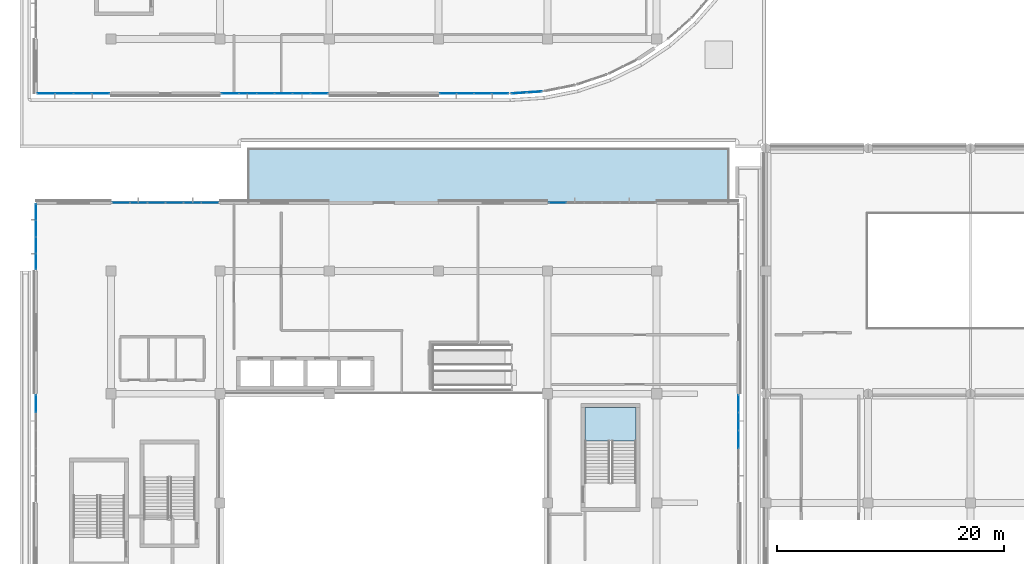
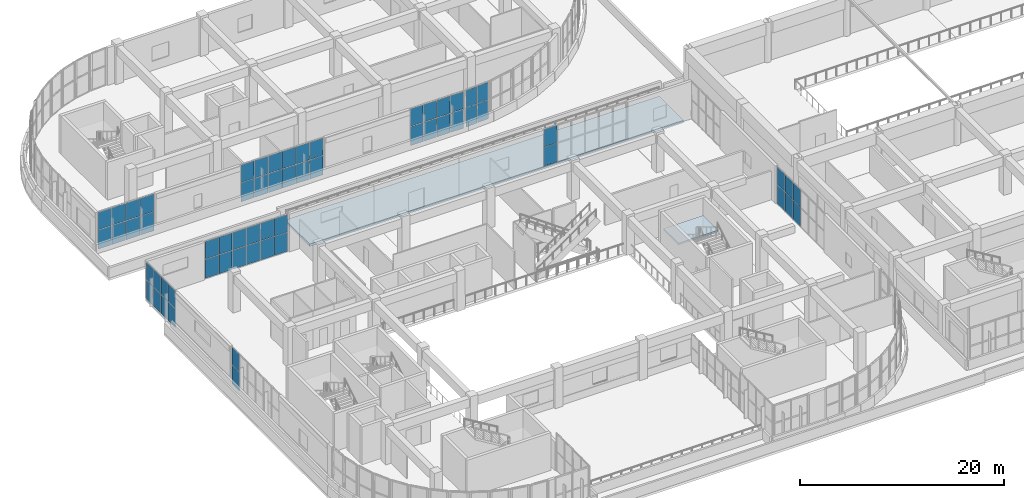
# One storey, part 46 of 96: 62 plates, 2 slabs, 10 elements without a shape of their own.
"""IFC4 building model written with IfcOpenShell, lengths in metres."""

from ifc_helpers import new_model, si_unit, direction, frame, origin, origin_2d, place, context, subcontext, project, spatial, polyline, rectangle, outline, extrude, material, layer, layer_set, type_object, element, aggregate, save


model = new_model("IFC4")

# Units and contexts
model_context = context("Model", 3, precision=1e-05, world=origin(), true_north=direction((0.0, 1.0)))
body_context = subcontext(model_context, "Body", "Model", "MODEL_VIEW")
ifc_project = project(units=[si_unit("LENGTHUNIT", "METRE"), si_unit("AREAUNIT", "SQUARE_METRE"), si_unit("VOLUMEUNIT", "CUBIC_METRE"), si_unit("PLANEANGLEUNIT", "RADIAN"), si_unit("MASSUNIT", "GRAM", prefix="KILO")], contexts=[model_context])

# Site, building, storey
site_placement = place(None, origin())
site = spatial("IfcSite", under=ifc_project, at=site_placement, CompositionType="ELEMENT")
building_placement = place(site_placement, origin())
building = spatial("IfcBuilding", under=site, at=building_placement, Name="Cendralis Terraced Arcade", CompositionType="ELEMENT")
storey_placement = place(building_placement, frame((0.0, 0.0, 10.199951171875)))
storey = spatial("IfcBuildingStorey", under=building, at=storey_placement, Name="L02", CompositionType="ELEMENT", Elevation=10.199951171875)

# Curtain wall, plates
ifc_material_1 = material(Name="Anodised aluminium EN AW-6063 T6", Category="aluminium")
ifc_layer_1 = layer(ifc_material_1, 0.1201171875, Name="CW-STORE-B")
ifc_layer_set_1 = layer_set([ifc_layer_1], Name="Anodised aluminium EN AW-6063 T6")
curtain_wall_type_1 = type_object("IfcCurtainWallType", Name="CW-STORE-B", PredefinedType="USERDEFINED", material=ifc_layer_set_1)
curtain_wall_1_placement = place(storey_placement, origin())
curtain_wall_1 = element("IfcCurtainWall", 1, at=curtain_wall_1_placement, inside=storey, type_object=curtain_wall_type_1, Name="Exterior Storefront Glazing CW-L02-0127", ObjectType="STOREFRONT GLAZING", PredefinedType="USERDEFINED")
ifc_material_2 = material(Name="Tempered solar control laminated glass", Category="glass")
ifc_layer_2 = layer(ifc_material_2, 0.02392578125, Name="CW-STORE-B-PNL")
ifc_layer_set_2 = layer_set([ifc_layer_2], Name="Tempered solar control laminated glass")
plate_type_1 = type_object("IfcPlateType", Name="CW-STORE-B-PNL", PredefinedType="CURTAIN_PANEL", material=ifc_layer_set_2)
plate_1_placement = place(storey_placement, frame((43.831298828125, 64.800048828125, 0.05517578125), z_axis=(0.0, 0.0, 1.0), x_axis=(-1.0, 0.0, 0.0)))
plate_1 = element("IfcPlate", 2, at=plate_1_placement, type_object=plate_type_1, Name="CW-S2 panel 1.1", PredefinedType="CURTAIN_PANEL", context=body_context, shape_type="SweptSolid", body=[
    extrude(rectangle(XDim=1.447509765625, YDim=0.02392578125, at=origin_2d()), origin(), (0.0, 0.0, 1.0), 2.265380859375),
])
plate_2_placement = place(storey_placement, frame((43.831298828125, 64.800048828125, 2.37548828125), z_axis=(0.0, 0.0, 1.0), x_axis=(-1.0, 0.0, 0.0)))
plate_2 = element("IfcPlate", 3, at=plate_2_placement, type_object=plate_type_1, Name="CW-S2 panel 1.2", PredefinedType="CURTAIN_PANEL", context=body_context, shape_type="SweptSolid", body=[
    extrude(rectangle(XDim=1.447509765625, YDim=0.02392578125, at=origin_2d()), origin(), (0.0, 0.0, 1.0), 2.084716796875),
])
plate_3_placement = place(storey_placement, frame((42.31494140625, 64.800048828125, 0.05517578125), z_axis=(0.0, 0.0, 1.0), x_axis=(-1.0, 0.0, 0.0)))
plate_3 = element("IfcPlate", 4, at=plate_3_placement, type_object=plate_type_1, Name="CW-S2 panel 2.1", PredefinedType="CURTAIN_PANEL", context=body_context, shape_type="SweptSolid", body=[
    extrude(rectangle(XDim=1.47509765625, YDim=0.02392578125, at=origin_2d()), origin(), (0.0, 0.0, 1.0), 2.265380859375),
])
plate_4_placement = place(storey_placement, frame((42.31494140625, 64.800048828125, 2.37548828125), z_axis=(0.0, 0.0, 1.0), x_axis=(-1.0, 0.0, 0.0)))
plate_4 = element("IfcPlate", 5, at=plate_4_placement, type_object=plate_type_1, Name="CW-S2 panel 2.2", PredefinedType="CURTAIN_PANEL", context=body_context, shape_type="SweptSolid", body=[
    extrude(rectangle(XDim=1.47509765625, YDim=0.02392578125, at=origin_2d()), origin(), (0.0, 0.0, 1.0), 2.084716796875),
])
plate_5_placement = place(storey_placement, frame((40.784912109375, 64.800048828125, 0.05517578125), z_axis=(0.0, 0.0, 1.0), x_axis=(-1.0, 0.0, 0.0)))
plate_5 = element("IfcPlate", 6, at=plate_5_placement, type_object=plate_type_1, Name="CW-S2 panel 3.1", PredefinedType="CURTAIN_PANEL", context=body_context, shape_type="SweptSolid", body=[
    extrude(rectangle(XDim=1.47509765625, YDim=0.02392578125, at=origin_2d()), origin(), (0.0, 0.0, 1.0), 2.265380859375),
])
plate_6_placement = place(storey_placement, frame((40.784912109375, 64.800048828125, 2.37548828125), z_axis=(0.0, 0.0, 1.0), x_axis=(-1.0, 0.0, 0.0)))
plate_6 = element("IfcPlate", 7, at=plate_6_placement, type_object=plate_type_1, Name="CW-S2 panel 3.2", PredefinedType="CURTAIN_PANEL", context=body_context, shape_type="SweptSolid", body=[
    extrude(rectangle(XDim=1.47509765625, YDim=0.02392578125, at=origin_2d()), origin(), (0.0, 0.0, 1.0), 2.084716796875),
])
plate_7_placement = place(storey_placement, frame((39.268798828125, 64.800048828125, 0.05517578125), z_axis=(0.0, 0.0, 1.0), x_axis=(-1.0, 0.0, 0.0)))
plate_7 = element("IfcPlate", 8, at=plate_7_placement, type_object=plate_type_1, Name="CW-S2 panel 4.1", PredefinedType="CURTAIN_PANEL", context=body_context, shape_type="SweptSolid", body=[
    extrude(rectangle(XDim=1.447509765625, YDim=0.02392578125, at=origin_2d()), origin(), (0.0, 0.0, 1.0), 2.265380859375),
])
plate_8_placement = place(storey_placement, frame((39.268798828125, 64.800048828125, 2.37548828125), z_axis=(0.0, 0.0, 1.0), x_axis=(-1.0, 0.0, 0.0)))
plate_8 = element("IfcPlate", 9, at=plate_8_placement, type_object=plate_type_1, Name="CW-S2 panel 4.2", PredefinedType="CURTAIN_PANEL", context=body_context, shape_type="SweptSolid", body=[
    extrude(rectangle(XDim=1.447509765625, YDim=0.02392578125, at=origin_2d()), origin(), (0.0, 0.0, 1.0), 2.084716796875),
])
aggregate(curtain_wall_1, [plate_1, plate_2, plate_3, plate_4, plate_5, plate_6, plate_7, plate_8])

curtain_wall_2_placement = place(storey_placement, origin())
curtain_wall_2 = element("IfcCurtainWall", 10, at=curtain_wall_2_placement, inside=storey, type_object=curtain_wall_type_1, Name="Exterior Storefront Glazing CW-L02-0128", ObjectType="STOREFRONT GLAZING", PredefinedType="USERDEFINED")
plate_9_placement = place(storey_placement, frame((27.9111328125, 64.800048828125, 0.05517578125), z_axis=(0.0, 0.0, 1.0), x_axis=(-1.0, 0.0, 0.0)))
plate_9 = element("IfcPlate", 11, at=plate_9_placement, type_object=plate_type_1, Name="CW-S2 panel 1.1", PredefinedType="CURTAIN_PANEL", context=body_context, shape_type="SweptSolid", body=[
    extrude(rectangle(XDim=1.487548828125, YDim=0.02392578125, at=origin_2d()), origin(), (0.0, 0.0, 1.0), 2.265380859375),
])
plate_10_placement = place(storey_placement, frame((27.9111328125, 64.800048828125, 2.37548828125), z_axis=(0.0, 0.0, 1.0), x_axis=(-1.0, 0.0, 0.0)))
plate_10 = element("IfcPlate", 12, at=plate_10_placement, type_object=plate_type_1, Name="CW-S2 panel 1.2", PredefinedType="CURTAIN_PANEL", context=body_context, shape_type="SweptSolid", body=[
    extrude(rectangle(XDim=1.487548828125, YDim=0.02392578125, at=origin_2d()), origin(), (0.0, 0.0, 1.0), 2.084716796875),
])
plate_11_placement = place(storey_placement, frame((26.35498046875, 64.800048828125, 0.05517578125), z_axis=(0.0, 0.0, 1.0), x_axis=(-1.0, 0.0, 0.0)))
plate_11 = element("IfcPlate", 13, at=plate_11_placement, type_object=plate_type_1, Name="CW-S2 panel 2.1", PredefinedType="CURTAIN_PANEL", context=body_context, shape_type="SweptSolid", body=[
    extrude(rectangle(XDim=1.514892578125, YDim=0.02392578125, at=origin_2d()), origin(), (0.0, 0.0, 1.0), 2.265380859375),
])
plate_12_placement = place(storey_placement, frame((26.35498046875, 64.800048828125, 2.37548828125), z_axis=(0.0, 0.0, 1.0), x_axis=(-1.0, 0.0, 0.0)))
plate_12 = element("IfcPlate", 14, at=plate_12_placement, type_object=plate_type_1, Name="CW-S2 panel 2.2", PredefinedType="CURTAIN_PANEL", context=body_context, shape_type="SweptSolid", body=[
    extrude(rectangle(XDim=1.514892578125, YDim=0.02392578125, at=origin_2d()), origin(), (0.0, 0.0, 1.0), 2.084716796875),
])
plate_13_placement = place(storey_placement, frame((24.784912109375, 64.800048828125, 0.05517578125), z_axis=(0.0, 0.0, 1.0), x_axis=(-1.0, 0.0, 0.0)))
plate_13 = element("IfcPlate", 15, at=plate_13_placement, type_object=plate_type_1, Name="CW-S2 panel 3.1", PredefinedType="CURTAIN_PANEL", context=body_context, shape_type="SweptSolid", body=[
    extrude(rectangle(XDim=1.514892578125, YDim=0.02392578125, at=origin_2d()), origin(), (0.0, 0.0, 1.0), 2.265380859375),
])
plate_14_placement = place(storey_placement, frame((24.784912109375, 64.800048828125, 2.37548828125), z_axis=(0.0, 0.0, 1.0), x_axis=(-1.0, 0.0, 0.0)))
plate_14 = element("IfcPlate", 16, at=plate_14_placement, type_object=plate_type_1, Name="CW-S2 panel 3.2", PredefinedType="CURTAIN_PANEL", context=body_context, shape_type="SweptSolid", body=[
    extrude(rectangle(XDim=1.514892578125, YDim=0.02392578125, at=origin_2d()), origin(), (0.0, 0.0, 1.0), 2.084716796875),
])
plate_15_placement = place(storey_placement, frame((23.215087890625, 64.800048828125, 0.05517578125), z_axis=(0.0, 0.0, 1.0), x_axis=(-1.0, 0.0, 0.0)))
plate_15 = element("IfcPlate", 17, at=plate_15_placement, type_object=plate_type_1, Name="CW-S2 panel 4.1", PredefinedType="CURTAIN_PANEL", context=body_context, shape_type="SweptSolid", body=[
    extrude(rectangle(XDim=1.514892578125, YDim=0.02392578125, at=origin_2d()), origin(), (0.0, 0.0, 1.0), 2.265380859375),
])
plate_16_placement = place(storey_placement, frame((23.215087890625, 64.800048828125, 2.37548828125), z_axis=(0.0, 0.0, 1.0), x_axis=(-1.0, 0.0, 0.0)))
plate_16 = element("IfcPlate", 18, at=plate_16_placement, type_object=plate_type_1, Name="CW-S2 panel 4.2", PredefinedType="CURTAIN_PANEL", context=body_context, shape_type="SweptSolid", body=[
    extrude(rectangle(XDim=1.514892578125, YDim=0.02392578125, at=origin_2d()), origin(), (0.0, 0.0, 1.0), 2.084716796875),
])
plate_17_placement = place(storey_placement, frame((21.64501953125, 64.800048828125, 0.05517578125), z_axis=(0.0, 0.0, 1.0), x_axis=(-1.0, 0.0, 0.0)))
plate_17 = element("IfcPlate", 19, at=plate_17_placement, type_object=plate_type_1, Name="CW-S2 panel 5.1", PredefinedType="CURTAIN_PANEL", context=body_context, shape_type="SweptSolid", body=[
    extrude(rectangle(XDim=1.514892578125, YDim=0.02392578125, at=origin_2d()), origin(), (0.0, 0.0, 1.0), 2.265380859375),
])
plate_18_placement = place(storey_placement, frame((21.64501953125, 64.800048828125, 2.37548828125), z_axis=(0.0, 0.0, 1.0), x_axis=(-1.0, 0.0, 0.0)))
plate_18 = element("IfcPlate", 20, at=plate_18_placement, type_object=plate_type_1, Name="CW-S2 panel 5.2", PredefinedType="CURTAIN_PANEL", context=body_context, shape_type="SweptSolid", body=[
    extrude(rectangle(XDim=1.514892578125, YDim=0.02392578125, at=origin_2d()), origin(), (0.0, 0.0, 1.0), 2.084716796875),
])
plate_19_placement = place(storey_placement, frame((20.0888671875, 64.800048828125, 0.05517578125), z_axis=(0.0, 0.0, 1.0), x_axis=(-1.0, 0.0, 0.0)))
plate_19 = element("IfcPlate", 21, at=plate_19_placement, type_object=plate_type_1, Name="CW-S2 panel 6.1", PredefinedType="CURTAIN_PANEL", context=body_context, shape_type="SweptSolid", body=[
    extrude(rectangle(XDim=1.487548828125, YDim=0.02392578125, at=origin_2d()), origin(), (0.0, 0.0, 1.0), 2.265380859375),
])
plate_20_placement = place(storey_placement, frame((20.0888671875, 64.800048828125, 2.37548828125), z_axis=(0.0, 0.0, 1.0), x_axis=(-1.0, 0.0, 0.0)))
plate_20 = element("IfcPlate", 22, at=plate_20_placement, type_object=plate_type_1, Name="CW-S2 panel 6.2", PredefinedType="CURTAIN_PANEL", context=body_context, shape_type="SweptSolid", body=[
    extrude(rectangle(XDim=1.487548828125, YDim=0.02392578125, at=origin_2d()), origin(), (0.0, 0.0, 1.0), 2.084716796875),
])
aggregate(curtain_wall_2, [plate_9, plate_10, plate_11, plate_12, plate_13, plate_14, plate_15, plate_16, plate_17, plate_18, plate_19, plate_20])

curtain_wall_3_placement = place(storey_placement, origin())
curtain_wall_3 = element("IfcCurtainWall", 23, at=curtain_wall_3_placement, inside=storey, type_object=curtain_wall_type_1, Name="Exterior Storefront Glazing CW-L02-0129", ObjectType="STOREFRONT GLAZING", PredefinedType="USERDEFINED")
plate_21_placement = place(storey_placement, frame((8.69384765625, 64.800048828125, 0.05517578125), z_axis=(0.0, 0.0, 1.0), x_axis=(-1.0, 0.0, 0.0)))
plate_21 = element("IfcPlate", 24, at=plate_21_placement, type_object=plate_type_1, Name="CW-S2 panel 1.1", PredefinedType="CURTAIN_PANEL", context=body_context, shape_type="SweptSolid", body=[
    extrude(rectangle(XDim=1.5224609375, YDim=0.02392578125, at=origin_2d()), origin(), (0.0, 0.0, 1.0), 2.265380859375),
])
plate_22_placement = place(storey_placement, frame((8.69384765625, 64.800048828125, 2.37548828125), z_axis=(0.0, 0.0, 1.0), x_axis=(-1.0, 0.0, 0.0)))
plate_22 = element("IfcPlate", 25, at=plate_22_placement, type_object=plate_type_1, Name="CW-S2 panel 1.2", PredefinedType="CURTAIN_PANEL", context=body_context, shape_type="SweptSolid", body=[
    extrude(rectangle(XDim=1.5224609375, YDim=0.02392578125, at=origin_2d()), origin(), (0.0, 0.0, 1.0), 2.084716796875),
])
plate_23_placement = place(storey_placement, frame((7.1025390625, 64.800048828125, 0.05517578125), z_axis=(0.0, 0.0, 1.0), x_axis=(-1.0, 0.0, 0.0)))
plate_23 = element("IfcPlate", 26, at=plate_23_placement, type_object=plate_type_1, Name="CW-S2 panel 2.1", PredefinedType="CURTAIN_PANEL", context=body_context, shape_type="SweptSolid", body=[
    extrude(rectangle(XDim=1.550048828125, YDim=0.02392578125, at=origin_2d()), origin(), (0.0, 0.0, 1.0), 2.265380859375),
])
plate_24_placement = place(storey_placement, frame((7.1025390625, 64.800048828125, 2.37548828125), z_axis=(0.0, 0.0, 1.0), x_axis=(-1.0, 0.0, 0.0)))
plate_24 = element("IfcPlate", 27, at=plate_24_placement, type_object=plate_type_1, Name="CW-S2 panel 2.2", PredefinedType="CURTAIN_PANEL", context=body_context, shape_type="SweptSolid", body=[
    extrude(rectangle(XDim=1.550048828125, YDim=0.02392578125, at=origin_2d()), origin(), (0.0, 0.0, 1.0), 2.084716796875),
])
plate_25_placement = place(storey_placement, frame((5.49755859375, 64.800048828125, 0.05517578125), z_axis=(0.0, 0.0, 1.0), x_axis=(-1.0, 0.0, 0.0)))
plate_25 = element("IfcPlate", 28, at=plate_25_placement, type_object=plate_type_1, Name="CW-S2 panel 3.1", PredefinedType="CURTAIN_PANEL", context=body_context, shape_type="SweptSolid", body=[
    extrude(rectangle(XDim=1.550048828125, YDim=0.02392578125, at=origin_2d()), origin(), (0.0, 0.0, 1.0), 2.265380859375),
])
plate_26_placement = place(storey_placement, frame((5.49755859375, 64.800048828125, 2.37548828125), z_axis=(0.0, 0.0, 1.0), x_axis=(-1.0, 0.0, 0.0)))
plate_26 = element("IfcPlate", 29, at=plate_26_placement, type_object=plate_type_1, Name="CW-S2 panel 3.2", PredefinedType="CURTAIN_PANEL", context=body_context, shape_type="SweptSolid", body=[
    extrude(rectangle(XDim=1.550048828125, YDim=0.02392578125, at=origin_2d()), origin(), (0.0, 0.0, 1.0), 2.084716796875),
])
plate_27_placement = place(storey_placement, frame((3.90625, 64.800048828125, 0.05517578125), z_axis=(0.0, 0.0, 1.0), x_axis=(-1.0, 0.0, 0.0)))
plate_27 = element("IfcPlate", 30, at=plate_27_placement, type_object=plate_type_1, Name="CW-S2 panel 4.1", PredefinedType="CURTAIN_PANEL", context=body_context, shape_type="SweptSolid", body=[
    extrude(rectangle(XDim=1.5224609375, YDim=0.02392578125, at=origin_2d()), origin(), (0.0, 0.0, 1.0), 2.265380859375),
])
plate_28_placement = place(storey_placement, frame((3.90625, 64.800048828125, 2.37548828125), z_axis=(0.0, 0.0, 1.0), x_axis=(-1.0, 0.0, 0.0)))
plate_28 = element("IfcPlate", 31, at=plate_28_placement, type_object=plate_type_1, Name="CW-S2 panel 4.2", PredefinedType="CURTAIN_PANEL", context=body_context, shape_type="SweptSolid", body=[
    extrude(rectangle(XDim=1.5224609375, YDim=0.02392578125, at=origin_2d()), origin(), (0.0, 0.0, 1.0), 2.084716796875),
])
aggregate(curtain_wall_3, [plate_21, plate_22, plate_23, plate_24, plate_25, plate_26, plate_27, plate_28])

curtain_wall_4_placement = place(storey_placement, origin())
curtain_wall_4 = element("IfcCurtainWall", 32, at=curtain_wall_4_placement, inside=storey, type_object=curtain_wall_type_1, Name="Exterior Storefront Glazing CW-L02-0221", ObjectType="STOREFRONT GLAZING", PredefinedType="USERDEFINED")
plate_29_placement = place(storey_placement, frame((3.0, 37.51123046875, 0.05517578125), z_axis=(0.0, 0.0, 1.0), x_axis=(0.0, 1.0, 0.0)))
plate_29 = element("IfcPlate", 33, at=plate_29_placement, type_object=plate_type_1, Name="CW-S2 panel 6.1", PredefinedType="CURTAIN_PANEL", context=body_context, shape_type="SweptSolid", body=[
    extrude(rectangle(XDim=1.487548828125, YDim=0.02392578125, at=origin_2d()), origin(), (0.0, 0.0, 1.0), 2.265380859375),
])
plate_30_placement = place(storey_placement, frame((3.0, 37.51123046875, 2.37548828125), z_axis=(0.0, 0.0, 1.0), x_axis=(0.0, 1.0, 0.0)))
plate_30 = element("IfcPlate", 34, at=plate_30_placement, type_object=plate_type_1, Name="CW-S2 panel 6.2", PredefinedType="CURTAIN_PANEL", context=body_context, shape_type="SweptSolid", body=[
    extrude(rectangle(XDim=1.487548828125, YDim=0.02392578125, at=origin_2d()), origin(), (0.0, 0.0, 1.0), 2.084716796875),
])
aggregate(curtain_wall_4, [plate_29, plate_30])

curtain_wall_5_placement = place(storey_placement, origin())
curtain_wall_5 = element("IfcCurtainWall", 35, at=curtain_wall_5_placement, inside=storey, type_object=curtain_wall_type_1, Name="Exterior Storefront Glazing CW-L02-0222", ObjectType="STOREFRONT GLAZING", PredefinedType="USERDEFINED")
plate_31_placement = place(storey_placement, frame((3.0, 50.03125, 0.05517578125), z_axis=(0.0, 0.0, 1.0), x_axis=(0.0, 1.0, 0.0)))
plate_31 = element("IfcPlate", 36, at=plate_31_placement, type_object=plate_type_1, Name="CW-S2 panel 1.1", PredefinedType="CURTAIN_PANEL", context=body_context, shape_type="SweptSolid", body=[
    extrude(rectangle(XDim=1.37255859375, YDim=0.02392578125, at=origin_2d()), origin(), (0.0, 0.0, 1.0), 2.265380859375),
])
plate_32_placement = place(storey_placement, frame((3.0, 50.03125, 2.37548828125), z_axis=(0.0, 0.0, 1.0), x_axis=(0.0, 1.0, 0.0)))
plate_32 = element("IfcPlate", 37, at=plate_32_placement, type_object=plate_type_1, Name="CW-S2 panel 1.2", PredefinedType="CURTAIN_PANEL", context=body_context, shape_type="SweptSolid", body=[
    extrude(rectangle(XDim=1.37255859375, YDim=0.02392578125, at=origin_2d()), origin(), (0.0, 0.0, 1.0), 2.084716796875),
])
plate_33_placement = place(storey_placement, frame((3.0, 51.472412109375, 0.05517578125), z_axis=(0.0, 0.0, 1.0), x_axis=(0.0, 1.0, 0.0)))
plate_33 = element("IfcPlate", 38, at=plate_33_placement, type_object=plate_type_1, Name="CW-S2 panel 2.1", PredefinedType="CURTAIN_PANEL", context=body_context, shape_type="SweptSolid", body=[
    extrude(rectangle(XDim=1.39990234375, YDim=0.02392578125, at=origin_2d()), origin(), (0.0, 0.0, 1.0), 2.265380859375),
])
plate_34_placement = place(storey_placement, frame((3.0, 51.472412109375, 2.37548828125), z_axis=(0.0, 0.0, 1.0), x_axis=(0.0, 1.0, 0.0)))
plate_34 = element("IfcPlate", 39, at=plate_34_placement, type_object=plate_type_1, Name="CW-S2 panel 2.2", PredefinedType="CURTAIN_PANEL", context=body_context, shape_type="SweptSolid", body=[
    extrude(rectangle(XDim=1.39990234375, YDim=0.02392578125, at=origin_2d()), origin(), (0.0, 0.0, 1.0), 2.084716796875),
])
plate_35_placement = place(storey_placement, frame((3.0, 52.927490234375, 0.05517578125), z_axis=(0.0, 0.0, 1.0), x_axis=(0.0, 1.0, 0.0)))
plate_35 = element("IfcPlate", 40, at=plate_35_placement, type_object=plate_type_1, Name="CW-S2 panel 3.1", PredefinedType="CURTAIN_PANEL", context=body_context, shape_type="SweptSolid", body=[
    extrude(rectangle(XDim=1.39990234375, YDim=0.02392578125, at=origin_2d()), origin(), (0.0, 0.0, 1.0), 2.265380859375),
])
plate_36_placement = place(storey_placement, frame((3.0, 52.927490234375, 2.37548828125), z_axis=(0.0, 0.0, 1.0), x_axis=(0.0, 1.0, 0.0)))
plate_36 = element("IfcPlate", 41, at=plate_36_placement, type_object=plate_type_1, Name="CW-S2 panel 3.2", PredefinedType="CURTAIN_PANEL", context=body_context, shape_type="SweptSolid", body=[
    extrude(rectangle(XDim=1.39990234375, YDim=0.02392578125, at=origin_2d()), origin(), (0.0, 0.0, 1.0), 2.084716796875),
])
plate_37_placement = place(storey_placement, frame((3.0, 54.36865234375, 0.05517578125), z_axis=(0.0, 0.0, 1.0), x_axis=(0.0, 1.0, 0.0)))
plate_37 = element("IfcPlate", 42, at=plate_37_placement, type_object=plate_type_1, Name="CW-S2 panel 4.1", PredefinedType="CURTAIN_PANEL", context=body_context, shape_type="SweptSolid", body=[
    extrude(rectangle(XDim=1.37255859375, YDim=0.02392578125, at=origin_2d()), origin(), (0.0, 0.0, 1.0), 2.265380859375),
])
plate_38_placement = place(storey_placement, frame((3.0, 54.36865234375, 2.37548828125), z_axis=(0.0, 0.0, 1.0), x_axis=(0.0, 1.0, 0.0)))
plate_38 = element("IfcPlate", 43, at=plate_38_placement, type_object=plate_type_1, Name="CW-S2 panel 4.2", PredefinedType="CURTAIN_PANEL", context=body_context, shape_type="SweptSolid", body=[
    extrude(rectangle(XDim=1.37255859375, YDim=0.02392578125, at=origin_2d()), origin(), (0.0, 0.0, 1.0), 2.084716796875),
])
aggregate(curtain_wall_5, [plate_31, plate_32, plate_33, plate_34, plate_35, plate_36, plate_37, plate_38])

curtain_wall_6_placement = place(storey_placement, origin())
curtain_wall_6 = element("IfcCurtainWall", 44, at=curtain_wall_6_placement, inside=storey, type_object=curtain_wall_type_1, Name="Exterior Storefront Glazing CW-L02-0223", ObjectType="STOREFRONT GLAZING", PredefinedType="USERDEFINED")
plate_39_placement = place(storey_placement, frame((10.48876953125, 55.199951171875, 0.05517578125), z_axis=(0.0, 0.0, 1.0), x_axis=(1.0, 0.0, 0.0)))
plate_39 = element("IfcPlate", 45, at=plate_39_placement, type_object=plate_type_1, Name="CW-S2 panel 1.1", PredefinedType="CURTAIN_PANEL", context=body_context, shape_type="SweptSolid", body=[
    extrude(rectangle(XDim=1.487548828125, YDim=0.02392578125, at=origin_2d()), origin(), (0.0, 0.0, 1.0), 2.265380859375),
])
plate_40_placement = place(storey_placement, frame((10.48876953125, 55.199951171875, 2.37548828125), z_axis=(0.0, 0.0, 1.0), x_axis=(1.0, 0.0, 0.0)))
plate_40 = element("IfcPlate", 46, at=plate_40_placement, type_object=plate_type_1, Name="CW-S2 panel 1.2", PredefinedType="CURTAIN_PANEL", context=body_context, shape_type="SweptSolid", body=[
    extrude(rectangle(XDim=1.487548828125, YDim=0.02392578125, at=origin_2d()), origin(), (0.0, 0.0, 1.0), 2.084716796875),
])
plate_41_placement = place(storey_placement, frame((12.044921875, 55.199951171875, 0.05517578125), z_axis=(0.0, 0.0, 1.0), x_axis=(1.0, 0.0, 0.0)))
plate_41 = element("IfcPlate", 47, at=plate_41_placement, type_object=plate_type_1, Name="CW-S2 panel 2.1", PredefinedType="CURTAIN_PANEL", context=body_context, shape_type="SweptSolid", body=[
    extrude(rectangle(XDim=1.514892578125, YDim=0.02392578125, at=origin_2d()), origin(), (0.0, 0.0, 1.0), 2.265380859375),
])
plate_42_placement = place(storey_placement, frame((12.044921875, 55.199951171875, 2.37548828125), z_axis=(0.0, 0.0, 1.0), x_axis=(1.0, 0.0, 0.0)))
plate_42 = element("IfcPlate", 48, at=plate_42_placement, type_object=plate_type_1, Name="CW-S2 panel 2.2", PredefinedType="CURTAIN_PANEL", context=body_context, shape_type="SweptSolid", body=[
    extrude(rectangle(XDim=1.514892578125, YDim=0.02392578125, at=origin_2d()), origin(), (0.0, 0.0, 1.0), 2.084716796875),
])
plate_43_placement = place(storey_placement, frame((13.614990234375, 55.199951171875, 0.05517578125), z_axis=(0.0, 0.0, 1.0), x_axis=(1.0, 0.0, 0.0)))
plate_43 = element("IfcPlate", 49, at=plate_43_placement, type_object=plate_type_1, Name="CW-S2 panel 3.1", PredefinedType="CURTAIN_PANEL", context=body_context, shape_type="SweptSolid", body=[
    extrude(rectangle(XDim=1.514892578125, YDim=0.02392578125, at=origin_2d()), origin(), (0.0, 0.0, 1.0), 2.265380859375),
])
plate_44_placement = place(storey_placement, frame((13.614990234375, 55.199951171875, 2.37548828125), z_axis=(0.0, 0.0, 1.0), x_axis=(1.0, 0.0, 0.0)))
plate_44 = element("IfcPlate", 50, at=plate_44_placement, type_object=plate_type_1, Name="CW-S2 panel 3.2", PredefinedType="CURTAIN_PANEL", context=body_context, shape_type="SweptSolid", body=[
    extrude(rectangle(XDim=1.514892578125, YDim=0.02392578125, at=origin_2d()), origin(), (0.0, 0.0, 1.0), 2.084716796875),
])
plate_45_placement = place(storey_placement, frame((15.18505859375, 55.199951171875, 0.05517578125), z_axis=(0.0, 0.0, 1.0), x_axis=(1.0, 0.0, 0.0)))
plate_45 = element("IfcPlate", 51, at=plate_45_placement, type_object=plate_type_1, Name="CW-S2 panel 4.1", PredefinedType="CURTAIN_PANEL", context=body_context, shape_type="SweptSolid", body=[
    extrude(rectangle(XDim=1.514892578125, YDim=0.02392578125, at=origin_2d()), origin(), (0.0, 0.0, 1.0), 2.265380859375),
])
plate_46_placement = place(storey_placement, frame((15.18505859375, 55.199951171875, 2.37548828125), z_axis=(0.0, 0.0, 1.0), x_axis=(1.0, 0.0, 0.0)))
plate_46 = element("IfcPlate", 52, at=plate_46_placement, type_object=plate_type_1, Name="CW-S2 panel 4.2", PredefinedType="CURTAIN_PANEL", context=body_context, shape_type="SweptSolid", body=[
    extrude(rectangle(XDim=1.514892578125, YDim=0.02392578125, at=origin_2d()), origin(), (0.0, 0.0, 1.0), 2.084716796875),
])
plate_47_placement = place(storey_placement, frame((16.7548828125, 55.199951171875, 0.05517578125), z_axis=(0.0, 0.0, 1.0), x_axis=(1.0, 0.0, 0.0)))
plate_47 = element("IfcPlate", 53, at=plate_47_placement, type_object=plate_type_1, Name="CW-S2 panel 5.1", PredefinedType="CURTAIN_PANEL", context=body_context, shape_type="SweptSolid", body=[
    extrude(rectangle(XDim=1.514892578125, YDim=0.02392578125, at=origin_2d()), origin(), (0.0, 0.0, 1.0), 2.265380859375),
])
plate_48_placement = place(storey_placement, frame((16.7548828125, 55.199951171875, 2.37548828125), z_axis=(0.0, 0.0, 1.0), x_axis=(1.0, 0.0, 0.0)))
plate_48 = element("IfcPlate", 54, at=plate_48_placement, type_object=plate_type_1, Name="CW-S2 panel 5.2", PredefinedType="CURTAIN_PANEL", context=body_context, shape_type="SweptSolid", body=[
    extrude(rectangle(XDim=1.514892578125, YDim=0.02392578125, at=origin_2d()), origin(), (0.0, 0.0, 1.0), 2.084716796875),
])
plate_49_placement = place(storey_placement, frame((18.311279296875, 55.199951171875, 0.05517578125), z_axis=(0.0, 0.0, 1.0), x_axis=(1.0, 0.0, 0.0)))
plate_49 = element("IfcPlate", 55, at=plate_49_placement, type_object=plate_type_1, Name="CW-S2 panel 6.1", PredefinedType="CURTAIN_PANEL", context=body_context, shape_type="SweptSolid", body=[
    extrude(rectangle(XDim=1.487548828125, YDim=0.02392578125, at=origin_2d()), origin(), (0.0, 0.0, 1.0), 2.265380859375),
])
plate_50_placement = place(storey_placement, frame((18.311279296875, 55.199951171875, 2.37548828125), z_axis=(0.0, 0.0, 1.0), x_axis=(1.0, 0.0, 0.0)))
plate_50 = element("IfcPlate", 56, at=plate_50_placement, type_object=plate_type_1, Name="CW-S2 panel 6.2", PredefinedType="CURTAIN_PANEL", context=body_context, shape_type="SweptSolid", body=[
    extrude(rectangle(XDim=1.487548828125, YDim=0.02392578125, at=origin_2d()), origin(), (0.0, 0.0, 1.0), 2.084716796875),
])
aggregate(curtain_wall_6, [plate_39, plate_40, plate_41, plate_42, plate_43, plate_44, plate_45, plate_46, plate_47, plate_48, plate_49, plate_50])

curtain_wall_7_placement = place(storey_placement, origin())
curtain_wall_7 = element("IfcCurtainWall", 57, at=curtain_wall_7_placement, inside=storey, type_object=curtain_wall_type_1, Name="Exterior Storefront Glazing CW-L02-0224", ObjectType="STOREFRONT GLAZING", PredefinedType="USERDEFINED")
plate_51_placement = place(storey_placement, frame((48.888671875, 55.199951171875, 0.05517578125), z_axis=(0.0, 0.0, 1.0), x_axis=(1.0, 0.0, 0.0)))
plate_51 = element("IfcPlate", 58, at=plate_51_placement, type_object=plate_type_1, Name="CW-S2 panel 1.1", PredefinedType="CURTAIN_PANEL", context=body_context, shape_type="SweptSolid", body=[
    extrude(rectangle(XDim=1.487548828125, YDim=0.02392578125, at=origin_2d()), origin(), (0.0, 0.0, 1.0), 2.265380859375),
])
plate_52_placement = place(storey_placement, frame((48.888671875, 55.199951171875, 2.37548828125), z_axis=(0.0, 0.0, 1.0), x_axis=(1.0, 0.0, 0.0)))
plate_52 = element("IfcPlate", 59, at=plate_52_placement, type_object=plate_type_1, Name="CW-S2 panel 1.2", PredefinedType="CURTAIN_PANEL", context=body_context, shape_type="SweptSolid", body=[
    extrude(rectangle(XDim=1.487548828125, YDim=0.02392578125, at=origin_2d()), origin(), (0.0, 0.0, 1.0), 2.084716796875),
])
aggregate(curtain_wall_7, [plate_51, plate_52])

curtain_wall_8_placement = place(storey_placement, origin())
curtain_wall_8 = element("IfcCurtainWall", 60, at=curtain_wall_8_placement, inside=storey, type_object=curtain_wall_type_1, Name="Exterior Storefront Glazing CW-L02-0226", ObjectType="STOREFRONT GLAZING", PredefinedType="USERDEFINED")
plate_53_placement = place(storey_placement, frame((64.800048828125, 37.51123046875, 0.05517578125), z_axis=(0.0, 0.0, 1.0), x_axis=(0.0, -1.0, 0.0)))
plate_53 = element("IfcPlate", 61, at=plate_53_placement, type_object=plate_type_1, Name="CW-S2 panel 1.1", PredefinedType="CURTAIN_PANEL", context=body_context, shape_type="SweptSolid", body=[
    extrude(rectangle(XDim=1.487548828125, YDim=0.02392578125, at=origin_2d()), origin(), (0.0, 0.0, 1.0), 2.265380859375),
])
plate_54_placement = place(storey_placement, frame((64.800048828125, 37.51123046875, 2.37548828125), z_axis=(0.0, 0.0, 1.0), x_axis=(0.0, -1.0, 0.0)))
plate_54 = element("IfcPlate", 62, at=plate_54_placement, type_object=plate_type_1, Name="CW-S2 panel 1.2", PredefinedType="CURTAIN_PANEL", context=body_context, shape_type="SweptSolid", body=[
    extrude(rectangle(XDim=1.487548828125, YDim=0.02392578125, at=origin_2d()), origin(), (0.0, 0.0, 1.0), 2.084716796875),
])
plate_55_placement = place(storey_placement, frame((64.800048828125, 35.955078125, 0.05517578125), z_axis=(0.0, 0.0, 1.0), x_axis=(0.0, -1.0, 0.0)))
plate_55 = element("IfcPlate", 63, at=plate_55_placement, type_object=plate_type_1, Name="CW-S2 panel 2.1", PredefinedType="CURTAIN_PANEL", context=body_context, shape_type="SweptSolid", body=[
    extrude(rectangle(XDim=1.514892578125, YDim=0.02392578125, at=origin_2d()), origin(), (0.0, 0.0, 1.0), 2.265380859375),
])
plate_56_placement = place(storey_placement, frame((64.800048828125, 35.955078125, 2.37548828125), z_axis=(0.0, 0.0, 1.0), x_axis=(0.0, -1.0, 0.0)))
plate_56 = element("IfcPlate", 64, at=plate_56_placement, type_object=plate_type_1, Name="CW-S2 panel 2.2", PredefinedType="CURTAIN_PANEL", context=body_context, shape_type="SweptSolid", body=[
    extrude(rectangle(XDim=1.514892578125, YDim=0.02392578125, at=origin_2d()), origin(), (0.0, 0.0, 1.0), 2.084716796875),
])
plate_57_placement = place(storey_placement, frame((64.800048828125, 34.385009765625, 0.05517578125), z_axis=(0.0, 0.0, 1.0), x_axis=(0.0, -1.0, 0.0)))
plate_57 = element("IfcPlate", 65, at=plate_57_placement, type_object=plate_type_1, Name="CW-S2 panel 3.1", PredefinedType="CURTAIN_PANEL", context=body_context, shape_type="SweptSolid", body=[
    extrude(rectangle(XDim=1.514892578125, YDim=0.02392578125, at=origin_2d()), origin(), (0.0, 0.0, 1.0), 2.265380859375),
])
plate_58_placement = place(storey_placement, frame((64.800048828125, 34.385009765625, 2.37548828125), z_axis=(0.0, 0.0, 1.0), x_axis=(0.0, -1.0, 0.0)))
plate_58 = element("IfcPlate", 66, at=plate_58_placement, type_object=plate_type_1, Name="CW-S2 panel 3.2", PredefinedType="CURTAIN_PANEL", context=body_context, shape_type="SweptSolid", body=[
    extrude(rectangle(XDim=1.514892578125, YDim=0.02392578125, at=origin_2d()), origin(), (0.0, 0.0, 1.0), 2.084716796875),
])
aggregate(curtain_wall_8, [plate_53, plate_54, plate_55, plate_56, plate_57, plate_58])

ifc_layer_3 = layer(ifc_material_1, 0.179931640625, Name="CW-UNIT-A")
ifc_layer_set_3 = layer_set([ifc_layer_3], Name="Anodised aluminium EN AW-6063 T6")
curtain_wall_type_2 = type_object("IfcCurtainWallType", Name="CW-UNIT-A", PredefinedType="USERDEFINED", material=ifc_layer_set_3)
curtain_wall_9_placement = place(storey_placement, origin())
curtain_wall_9 = element("IfcCurtainWall", 67, at=curtain_wall_9_placement, inside=storey, type_object=curtain_wall_type_2, Name="Exterior Unitised Facade CW-L02-0126", ObjectType="UNITISED FACADE", PredefinedType="USERDEFINED")
ifc_layer_4 = layer(ifc_material_2, 0.035888671875, Name="CW-UNIT-A-PNL")
ifc_layer_set_4 = layer_set([ifc_layer_4], Name="Tempered solar control laminated glass")
plate_type_2 = type_object("IfcPlateType", Name="CW-UNIT-A-PNL", PredefinedType="CURTAIN_PANEL", material=ifc_layer_set_4)
plate_59_placement = place(storey_placement, frame((46.841552734375, 64.9404296875, 0.06494140625), z_axis=(0.0, 0.0, 1.0), x_axis=(-0.997859311421, -0.065397206439, 0.0)))
plate_59 = element("IfcPlate", 68, at=plate_59_placement, type_object=plate_type_2, Name="CW-U1 panel 1.1", PredefinedType="CURTAIN_PANEL", context=body_context, shape_type="SweptSolid", body=[
    extrude(rectangle(XDim=1.283935546875, YDim=0.035888671875, at=origin_2d()), origin(), (0.0, 0.0, 1.0), 2.250244140625),
])
plate_60_placement = place(storey_placement, frame((46.841552734375, 64.9404296875, 2.38037109375), z_axis=(0.0, 0.0, 1.0), x_axis=(-0.997859311421, -0.065397206439, 0.0)))
plate_60 = element("IfcPlate", 69, at=plate_60_placement, type_object=plate_type_2, Name="CW-U1 panel 1.2", PredefinedType="CURTAIN_PANEL", context=body_context, shape_type="SweptSolid", body=[
    extrude(rectangle(XDim=1.283935546875, YDim=0.035888671875, at=origin_2d()), origin(), (0.0, 0.0, 1.0), 2.069580078125),
])
plate_61_placement = place(storey_placement, frame((45.495361328125, 64.85205078125, 0.06494140625), z_axis=(0.0, 0.0, 1.0), x_axis=(-0.997859311421, -0.065397206439, 0.0)))
plate_61 = element("IfcPlate", 70, at=plate_61_placement, type_object=plate_type_2, Name="CW-U1 panel 2.1", PredefinedType="CURTAIN_PANEL", context=body_context, shape_type="SweptSolid", body=[
    extrude(rectangle(XDim=1.283935546875, YDim=0.035888671875, at=origin_2d()), origin(), (0.0, 0.0, 1.0), 2.250244140625),
])
plate_62_placement = place(storey_placement, frame((45.495361328125, 64.85205078125, 2.38037109375), z_axis=(0.0, 0.0, 1.0), x_axis=(-0.997859311421, -0.065397206439, 0.0)))
plate_62 = element("IfcPlate", 71, at=plate_62_placement, type_object=plate_type_2, Name="CW-U1 panel 2.2", PredefinedType="CURTAIN_PANEL", context=body_context, shape_type="SweptSolid", body=[
    extrude(rectangle(XDim=1.283935546875, YDim=0.035888671875, at=origin_2d()), origin(), (0.0, 0.0, 1.0), 2.069580078125),
])
aggregate(curtain_wall_9, [plate_59, plate_60, plate_61, plate_62])

# Stair, slab
ifc_material_3 = material(Name="Concrete f'c 35 MPa", Category="concrete")
stair_type = type_object("IfcStairType", Name="STR-W215-H480", PredefinedType="HALF_TURN_STAIR", material=ifc_material_3)
stair_placement = place(storey_placement, origin())
stair = element("IfcStair", 72, at=stair_placement, inside=storey, type_object=stair_type, Name="L02 Protected Exit Stair ST-04", PredefinedType="HALF_TURN_STAIR")
ifc_layer_5 = layer(ifc_material_3, 0.199951171875, Name="SLB-STAIR-LND-200")
ifc_layer_set_5 = layer_set([ifc_layer_5], Name="Concrete f'c 35 MPa")
slab_type_1 = type_object("IfcSlabType", Name="SLB-STAIR-LND-200", PredefinedType="LANDING", material=ifc_layer_set_5)
slab_1_placement = place(storey_placement, frame((0.0, 0.0, 2.199951171875)))
slab_1 = element("IfcSlab", 73, at=slab_1_placement, type_object=slab_type_1, Name="ST-04 landing 1", PredefinedType="LANDING", context=body_context, shape_type="SweptSolid", body=[
    extrude(outline(polyline([(55.800048828125, 34.2548828125), (55.800048828125, 37.199951171875), (51.300048828125, 37.199951171875), (51.300048828125, 34.2548828125), (55.800048828125, 34.2548828125)])), origin(), (0.0, 0.0, 1.0), 0.2001953125),
])
aggregate(stair, [slab_1])

# Slab
ifc_layer_6 = layer(ifc_material_3, 0.284912109375, Name="SLB-TER-250")
ifc_layer_set_6 = layer_set([ifc_layer_6], Name="Concrete f'c 35 MPa")
slab_type_2 = type_object("IfcSlabType", Name="SLB-TER-250", PredefinedType="FLOOR", material=ifc_layer_set_6)
slab_2_placement = place(storey_placement, frame((0.0, 0.0, -0.284912109375)))
element("IfcSlab", 74, at=slab_2_placement, inside=storey, type_object=slab_type_2, Name="Planted Stone Terrace Ledge L02 North", PredefinedType="FLOOR", context=body_context, shape_type="SweptSolid", body=[
    extrude(outline(polyline([(21.60009765625, 60.0), (64.0, 60.0), (64.0, 55.219970703125), (21.60009765625, 55.219970703125), (21.60009765625, 60.0)])), origin(), (0.0, 0.0, 1.0), 0.284912109375),
])

save(model, "model.ifc")
